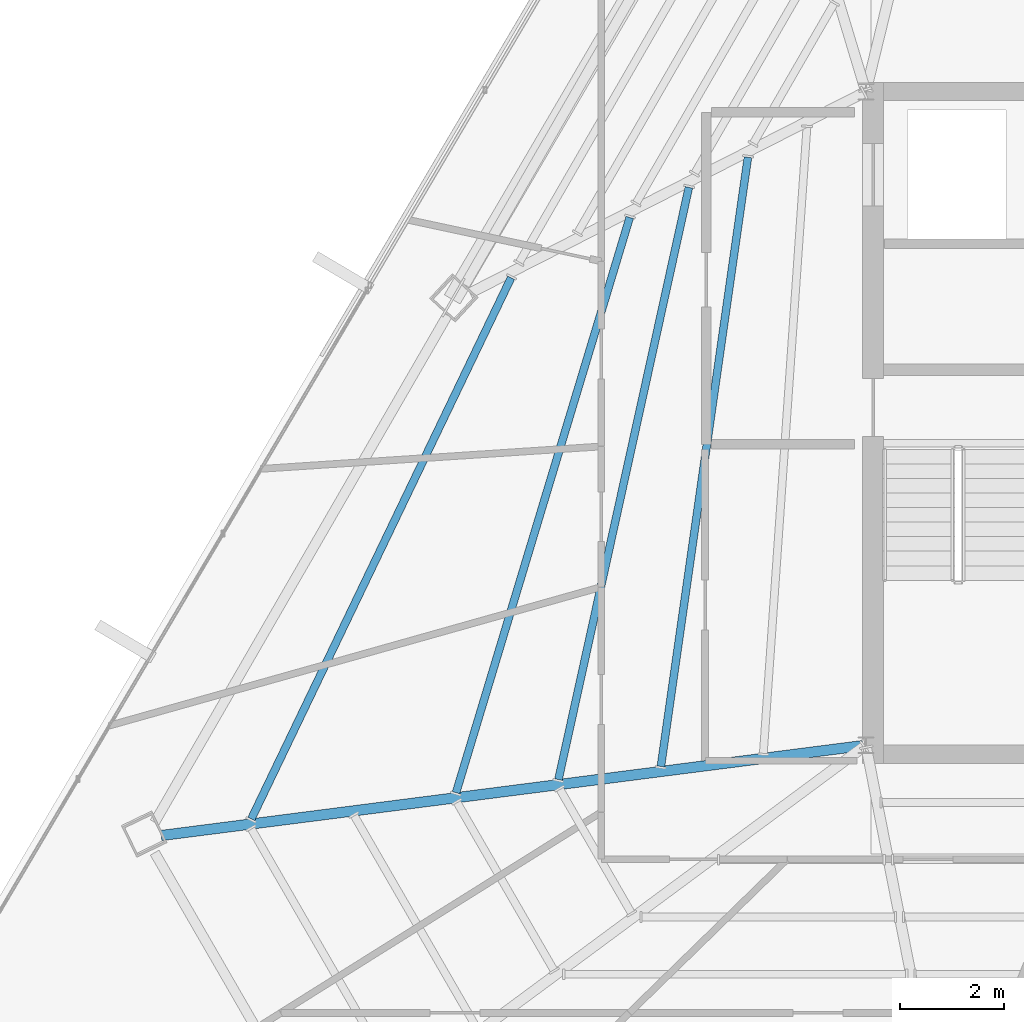
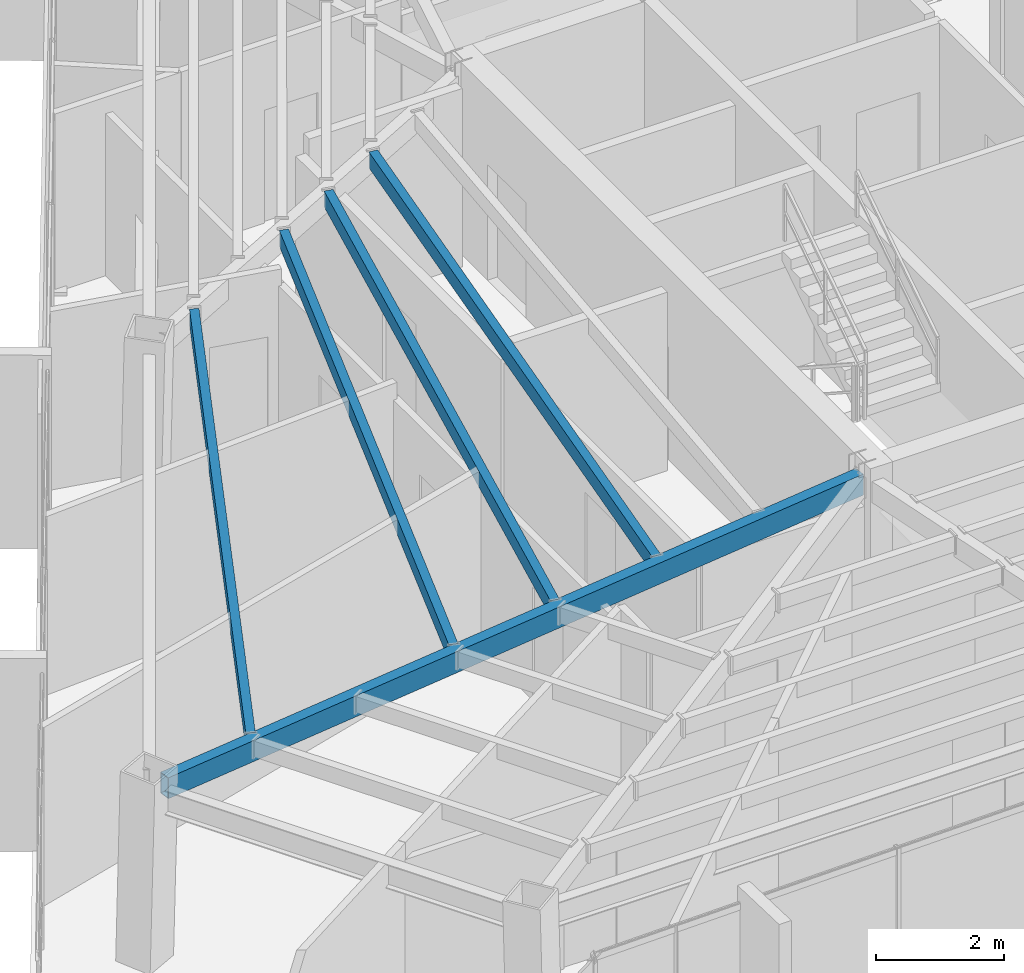
# One storey, part 10 of 48: 5 beams.
"""IFC4 building model written with IfcOpenShell, lengths in metres."""

from ifc_helpers import new_model, si_unit, direction, frame, origin, origin_2d, place, context, subcontext, project, spatial, hollow_rectangle, extrude, source, transform, mapped, material, material_profile, profile_set, type_object, type_shapes, element, save


model = new_model("IFC4")

# Units and contexts
model_context = context("Model", 3, precision=1e-05, world=origin(), true_north=direction((0.0, 1.0)))
body_context = subcontext(model_context, "Body", "Model", "MODEL_VIEW")
ifc_project = project(units=[si_unit("LENGTHUNIT", "METRE"), si_unit("AREAUNIT", "SQUARE_METRE"), si_unit("VOLUMEUNIT", "CUBIC_METRE"), si_unit("PLANEANGLEUNIT", "RADIAN"), si_unit("MASSUNIT", "GRAM", prefix="KILO")], contexts=[model_context])

# Site, building, storey
site_placement = place(None, origin())
site = spatial("IfcSite", under=ifc_project, at=site_placement, CompositionType="ELEMENT")
building_placement = place(site_placement, origin())
building = spatial("IfcBuilding", under=site, at=building_placement, Name="Caelisora Broadcast Tower", CompositionType="ELEMENT")
storey_placement = place(building_placement, frame((0.0, 0.0, 270.0)))
storey = spatial("IfcBuildingStorey", under=building, at=storey_placement, Name="L71", CompositionType="ELEMENT", Elevation=270.0)

# Beams
ifc_material = material(Name="Steel Grade 350 (AS/NZS 1163 C350L0)", Category="steel")
ifc_material_profile_1 = material_profile(ifc_material, hollow_rectangle(XDim=0.199951171875, YDim=0.39990234375, WallThickness=0.012451171875, at=origin_2d()), Name="Steel Grade 350 (AS/NZS 1163 C350L0)")
ifc_profile_set_1 = profile_set([ifc_material_profile_1], Name="Steel Grade 350 (AS/NZS 1163 C350L0)")
beam_type_1 = type_object("IfcBeamType", Name="PG07", PredefinedType="BEAM", material=ifc_profile_set_1)
shared_shape_1 = source(origin(), body_context, "Body", "SweptSolid", [
    extrude(hollow_rectangle(XDim=0.199951171875, YDim=0.39990234375, WallThickness=0.012451171875, at=origin_2d()), origin(), (0.0, 0.0, 1.0), 13.635498046875),
])
type_shapes(beam_type_1, [shared_shape_1])
beam_1_placement = place(storey_placement, frame((30.4404296875, 17.392333984375, 3.199951171875), z_axis=(-0.991889132952, -0.127106049944, 0.0), x_axis=(0.127106049944, -0.991889132952, 0.0)))
element("IfcBeam", 1, at=beam_1_placement, inside=storey, type_object=beam_type_1, Name="L71 beam PG07", PredefinedType="BEAM", context=body_context, shape_type="MappedRepresentation", body=[
    mapped(shared_shape_1, transform((0.0, 0.0, 0.0), scale=1.0)),
])
ifc_material_profile_2 = material_profile(ifc_material, hollow_rectangle(XDim=0.14990234375, YDim=0.300048828125, WallThickness=0.010009765625, at=origin_2d()), Name="Steel Grade 350 (AS/NZS 1163 C350L0)")
ifc_profile_set_2 = profile_set([ifc_material_profile_2], Name="Steel Grade 350 (AS/NZS 1163 C350L0)")
beam_type_2 = type_object("IfcBeamType", Name="SB05", PredefinedType="JOIST", material=ifc_profile_set_2)
shared_shape_2 = source(origin(), body_context, "Body", "SweptSolid", [
    extrude(hollow_rectangle(XDim=0.14990234375, YDim=0.300048828125, WallThickness=0.010009765625, at=origin_2d()), origin(), (0.0, 0.0, 1.0), 11.862060546875),
])
beam_2_placement = place(storey_placement, frame((28.2265625, 28.734130859375, 3.25), z_axis=(-0.14145881504, -0.989944141681, 0.0), x_axis=(0.989944141681, -0.14145881504, 0.0)))
element("IfcBeam", 2, at=beam_2_placement, inside=storey, type_object=beam_type_2, Name="L71 beam SB05", PredefinedType="JOIST", context=body_context, shape_type="MappedRepresentation", body=[
    mapped(shared_shape_2, transform((0.0, 0.0, 0.0), scale=1.0)),
])
shared_shape_3 = source(origin(), body_context, "Body", "SweptSolid", [
    extrude(hollow_rectangle(XDim=0.14990234375, YDim=0.300048828125, WallThickness=0.010009765625, at=origin_2d()), origin(), (0.0, 0.0, 1.0), 11.68994140625),
])
beam_3_placement = place(storey_placement, frame((27.087890625, 28.15478515625, 3.25), z_axis=(-0.215092457599, -0.97659368966, 0.0), x_axis=(0.97659368966, -0.215092457599, 0.0)))
element("IfcBeam", 3, at=beam_3_placement, inside=storey, type_object=beam_type_2, Name="L71 beam SB05", PredefinedType="JOIST", context=body_context, shape_type="MappedRepresentation", body=[
    mapped(shared_shape_3, transform((0.0, 0.0, 0.0), scale=1.0)),
])
shared_shape_4 = source(origin(), body_context, "Body", "SweptSolid", [
    extrude(hollow_rectangle(XDim=0.14990234375, YDim=0.300048828125, WallThickness=0.010009765625, at=origin_2d()), origin(), (0.0, 0.0, 1.0), 11.58349609375),
])
beam_4_placement = place(storey_placement, frame((25.94775390625, 27.57470703125, 3.25), z_axis=(-0.289062539415, -0.957310215294, 0.0), x_axis=(0.957310215294, -0.289062539415, 0.0)))
element("IfcBeam", 4, at=beam_4_placement, inside=storey, type_object=beam_type_2, Name="L71 beam SB05", PredefinedType="JOIST", context=body_context, shape_type="MappedRepresentation", body=[
    mapped(shared_shape_4, transform((0.0, 0.0, 0.0), scale=1.0)),
])
shared_shape_5 = source(origin(), body_context, "Body", "SweptSolid", [
    extrude(hollow_rectangle(XDim=0.14990234375, YDim=0.300048828125, WallThickness=0.010009765625, at=origin_2d()), origin(), (0.0, 0.0, 1.0), 11.570068359375),
])
type_shapes(beam_type_2, [shared_shape_2, shared_shape_3, shared_shape_4, shared_shape_5])
beam_5_placement = place(storey_placement, frame((23.660400390625, 26.41064453125, 3.25), z_axis=(-0.43278183007, -0.901498689717, 0.0), x_axis=(0.901498689717, -0.43278183007, 0.0)))
element("IfcBeam", 5, at=beam_5_placement, inside=storey, type_object=beam_type_2, Name="L71 beam SB05", PredefinedType="JOIST", context=body_context, shape_type="MappedRepresentation", body=[
    mapped(shared_shape_5, transform((0.0, 0.0, 0.0), scale=1.0)),
])

save(model, "model.ifc")
